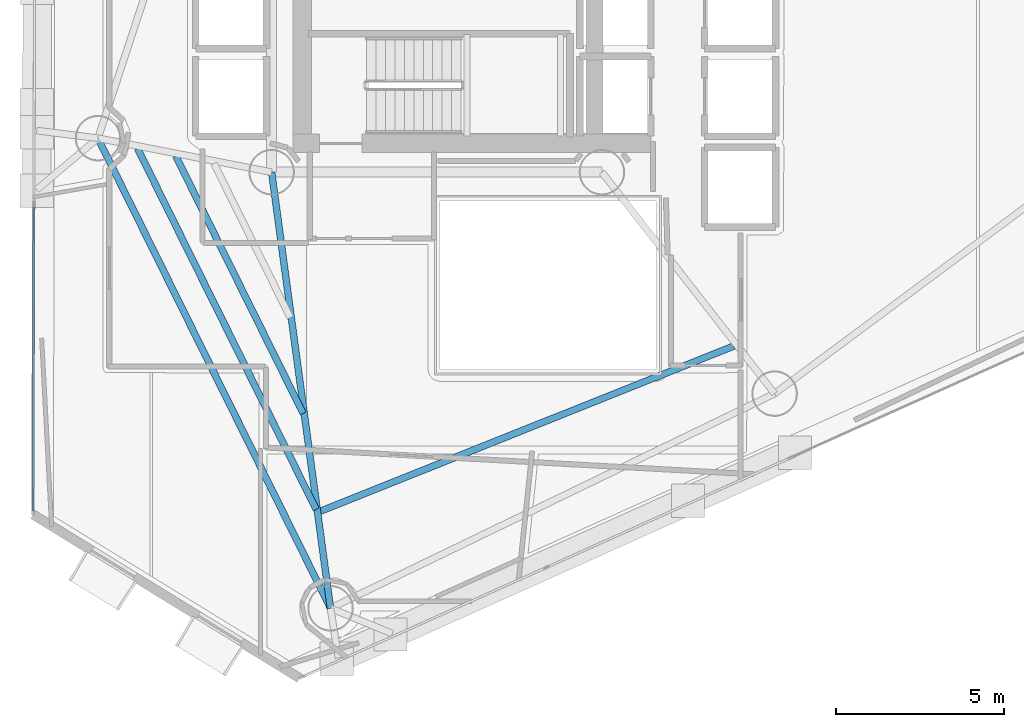
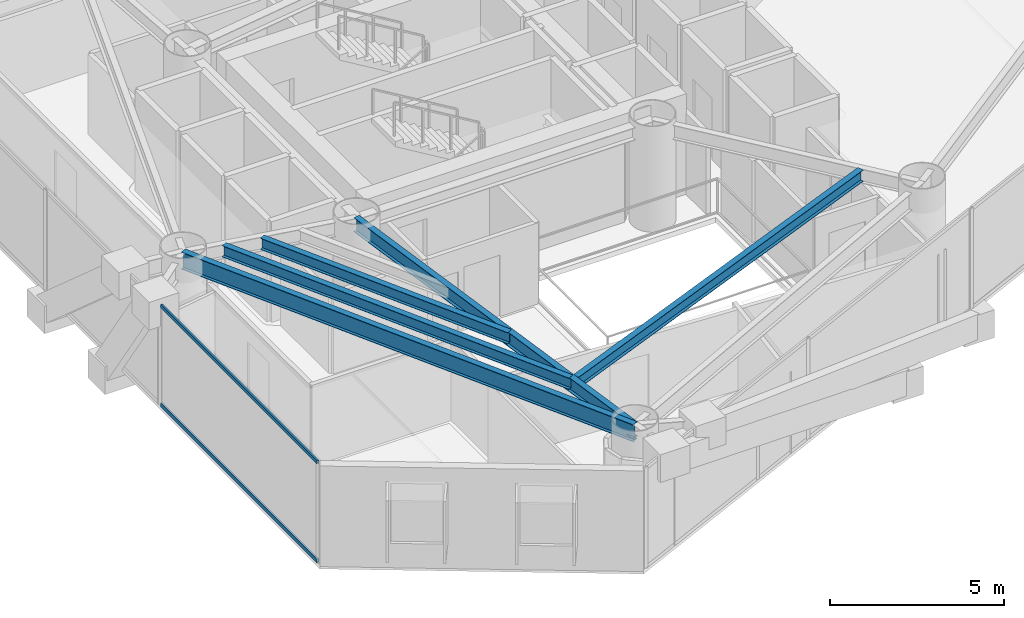
# One storey, part 4 of 23: 5 beams, 2 members, 1 element without a shape of its own.
"""IFC4 building model written with IfcOpenShell, lengths in metres."""

import ifcopenshell
import ifcopenshell.guid

model = None  # the IFC model being written
_history = None  # IfcOwnerHistory: only IFC2X3 demands one
_inside = {}  # id of a spatial element -> (the spatial element, [elements in it])
_under = {}  # id of a project, library or spatial element -> (it, [spatial elements below it])
_declared = {}  # id of a project -> (the project, [libraries it declares])
_typed = {}  # id of a type object -> (the type object, [elements of that type])
_made_of = {}  # id of a material, layer set ... -> (it, [elements and type objects made of it])


def new_model(schema):
    """Start an empty IFC model of exactly this schema.

    Asked for "IFC4X3", IfcOpenShell would pick the latest addendum, in which some entities
    have other attributes; the version numbers below select the first issue.
    IFC2X3 requires an IfcOwnerHistory on every rooted entity: one is made here for all.
    """
    global model, _history
    if schema == "IFC4X3":
        model = ifcopenshell.file(schema_version=(4, 3, 0, 0))
    else:
        model = ifcopenshell.file(schema=schema)
    _inside.clear()
    _under.clear()
    _declared.clear()
    _typed.clear()
    _made_of.clear()
    _history = None
    if model.schema == "IFC2X3":
        org = make("IfcOrganization", Name="unknown")
        user = make(
            "IfcPersonAndOrganization",
            ThePerson=make("IfcPerson", FamilyName="unknown"),
            TheOrganization=org,
        )
        app = make(
            "IfcApplication",
            ApplicationDeveloper=org,
            Version="unknown",
            ApplicationFullName="unknown",
            ApplicationIdentifier="unknown",
        )
        _history = make(
            "IfcOwnerHistory",
            OwningUser=user,
            OwningApplication=app,
            ChangeAction="ADDED",
            CreationDate=0,
        )
    return model


def make(cls, **values):
    """One entity of the class cls with the attributes given. An attribute that is None is left unset."""
    return model.create_entity(
        cls, **{name: value for name, value in values.items() if value is not None}
    )


def rooted(cls, **values):
    """An entity with a GlobalId (a new one), such as an element, a storey or a relation."""
    return make(cls, GlobalId=ifcopenshell.guid.new(), OwnerHistory=_history, **values)


def si_unit(unit_type, name, prefix=None):
    """IfcSIUnit, for example si_unit("LENGTHUNIT", "METRE", prefix="MILLI")."""
    return make("IfcSIUnit", UnitType=unit_type, Prefix=prefix, Name=name)


def assignment(units):
    """IfcUnitAssignment: the units of a project."""
    return None if units is None else make("IfcUnitAssignment", Units=units)


def point(xyz):
    """IfcCartesianPoint."""
    return None if xyz is None else make("IfcCartesianPoint", Coordinates=xyz)


def direction(xyz):
    """IfcDirection."""
    return None if xyz is None else make("IfcDirection", DirectionRatios=xyz)


def frame(location, z_axis=None, x_axis=None):
    """IfcAxis2Placement3D, a coordinate frame: its origin and axes. An axis left out is left unset."""
    return make(
        "IfcAxis2Placement3D",
        Location=point(location),
        Axis=direction(z_axis),
        RefDirection=direction(x_axis),
    )


def frame_2d(location, x_axis=None):
    """IfcAxis2Placement2D, a coordinate frame in the plane: its origin and x axis."""
    return make(
        "IfcAxis2Placement2D", Location=point(location), RefDirection=direction(x_axis)
    )


def origin():
    """The frame at (0, 0, 0) with its axes left unset."""
    return frame((0.0, 0.0, 0.0))


def origin_2d():
    """The frame at (0, 0) in the plane with its x axis left unset."""
    return frame_2d((0.0, 0.0))


def place(relative_to, where):
    """IfcLocalPlacement: puts the frame where relative to a parent placement (None: the world)."""
    return make(
        "IfcLocalPlacement", PlacementRelTo=relative_to, RelativePlacement=where
    )


def context(
    kind, dimensions, precision=None, world=None, true_north=None, identifier=None
):
    """IfcGeometricRepresentationContext, for example the 3D "Model" context."""
    return make(
        "IfcGeometricRepresentationContext",
        ContextIdentifier=identifier,
        ContextType=kind,
        CoordinateSpaceDimension=dimensions,
        Precision=precision,
        WorldCoordinateSystem=world,
        TrueNorth=true_north,
    )


def subcontext(parent, identifier, kind, view, scale=None):
    """IfcGeometricRepresentationSubContext, for example "Body" below "Model"."""
    return make(
        "IfcGeometricRepresentationSubContext",
        ContextIdentifier=identifier,
        ContextType=kind,
        ParentContext=parent,
        TargetScale=scale,
        TargetView=view,
    )


def project(units=None, contexts=None):
    """IfcProject with its units and contexts."""
    return rooted(
        "IfcProject",
        Name="project",
        RepresentationContexts=contexts,
        UnitsInContext=assignment(units),
    )


def spatial(cls, under=None, at=None, **own):
    """A site, building, storey or space (cls), placed at a placement, below another one or the project."""
    s = rooted(cls, ObjectPlacement=at, **own)
    if under is not None:
        _under.setdefault(under.id(), (under, []))[1].append(s)
    return s


def profile(cls, at=None, kind="AREA", **sizes):
    """A parametric profile (cls). Its sizes go by their IFC names, for example OverallWidth=200.0."""
    return make(cls, ProfileType=kind, Position=at, **sizes)


def hollow_rectangle(**sizes):
    """IfcRectangleHollowProfileDef."""
    return profile("IfcRectangleHollowProfileDef", **sizes)


def i_section(**sizes):
    """IfcIShapeProfileDef."""
    return profile("IfcIShapeProfileDef", **sizes)


def extrude(swept, where, along, depth):
    """IfcExtrudedAreaSolid: the profile swept, set in the frame where, extruded along a direction by depth."""
    return make(
        "IfcExtrudedAreaSolid",
        SweptArea=swept,
        Position=where,
        ExtrudedDirection=direction(along),
        Depth=depth,
    )


def shape(context_of_items, identifier, shape_type, items):
    """IfcShapeRepresentation: the items that make up one representation, for example the "Body"."""
    return make(
        "IfcShapeRepresentation",
        ContextOfItems=context_of_items,
        RepresentationIdentifier=identifier,
        RepresentationType=shape_type,
        Items=items,
    )


def material(Name=None, Category=None):
    """IfcMaterial."""
    return make("IfcMaterial", Name=Name, Category=Category)


def layer(
    of_material, thickness, ventilated=None, Name=None, Category=None, Priority=None
):
    """IfcMaterialLayer: one layer of a wall or slab, of a material (None: an air gap)."""
    return make(
        "IfcMaterialLayer",
        Material=of_material,
        LayerThickness=thickness,
        IsVentilated=ventilated,
        Name=Name,
        Category=Category,
        Priority=Priority,
    )


def layer_set(layers, Name=None):
    """IfcMaterialLayerSet."""
    return make("IfcMaterialLayerSet", MaterialLayers=layers, LayerSetName=Name)


def material_profile(
    of_material, cross_section, Name=None, Category=None, Priority=None
):
    """IfcMaterialProfile: a cross section and its material."""
    return make(
        "IfcMaterialProfile",
        Name=Name,
        Material=of_material,
        Profile=cross_section,
        Priority=Priority,
        Category=Category,
    )


def profile_set(profiles, Name=None, composite=None):
    """IfcMaterialProfileSet."""
    return make(
        "IfcMaterialProfileSet",
        Name=Name,
        MaterialProfiles=profiles,
        CompositeProfile=composite,
    )


def made_of(thing, what):
    """Note that an element or type object is made of a material, layer set ...; save() writes the relation."""
    if what is not None:
        _made_of.setdefault(what.id(), (what, []))[1].append(thing)
    return thing


def type_object(cls, material=None, **own):
    """A type object (cls), such as IfcWallType, which elements share."""
    return made_of(rooted(cls, **own), material)


def element(
    cls,
    number,
    at=None,
    inside=None,
    cuts=None,
    type_object=None,
    material=None,
    context=None,
    identifier="Body",
    shape_type=None,
    held_by="IfcProductDefinitionShape",
    body=None,
    shapes=None,
    **own,
):
    """One element of the class cls, such as IfcWall. Its Tag is "e" and its number.

    at: its placement. inside: the storey or other place that contains it. cuts: it is an
    opening in that element (IfcRelVoidsElement). A single representation is given by context,
    identifier, shape_type and body (its items); several are given by shapes. held_by: the class
    of the entity that holds the representations. save() writes the other relations.
    """
    e = rooted(cls, Tag="e%d" % number, ObjectPlacement=at, **own)
    if body is not None:
        shapes = [shape(context, identifier, shape_type, body)]
    if shapes is not None:
        e.Representation = make(held_by, Representations=shapes)
    if inside is not None:
        _inside.setdefault(inside.id(), (inside, []))[1].append(e)
    if cuts is not None:
        rooted(
            "IfcRelVoidsElement", RelatingBuildingElement=cuts, RelatedOpeningElement=e
        )
    if type_object is not None:
        _typed.setdefault(type_object.id(), (type_object, []))[1].append(e)
    return made_of(e, material)


def aggregate(whole, parts):
    """IfcRelAggregates: a whole, such as a stair, and the parts it consists of."""
    return rooted("IfcRelAggregates", RelatingObject=whole, RelatedObjects=parts)


def save(model, path):
    """Write the relations noted so far, then the file.

    IfcRelAggregates (storeys below a building ...), IfcRelContainedInSpatialStructure (elements
    in a storey), IfcRelDefinesByType, IfcRelAssociatesMaterial and IfcRelDeclares: one each for
    every whole, place, type object, material and project.
    """
    for whole, parts in _under.values():
        aggregate(whole, parts)
    for where, things in _inside.values():
        rooted(
            "IfcRelContainedInSpatialStructure",
            RelatedElements=things,
            RelatingStructure=where,
        )
    for kind, things in _typed.values():
        rooted("IfcRelDefinesByType", RelatedObjects=things, RelatingType=kind)
    for what, things in _made_of.values():
        rooted("IfcRelAssociatesMaterial", RelatedObjects=things, RelatingMaterial=what)
    for by, libraries in _declared.values():
        rooted("IfcRelDeclares", RelatingContext=by, RelatedDefinitions=libraries)
    model.write(path)


model = new_model("IFC4")

# Units and contexts
model_context = context("Model", 3, precision=1e-05, world=origin(), true_north=direction((0.0, 1.0)))
body_context = subcontext(model_context, "Body", "Model", "MODEL_VIEW")
ifc_project = project(units=[si_unit("LENGTHUNIT", "METRE"), si_unit("AREAUNIT", "SQUARE_METRE"), si_unit("VOLUMEUNIT", "CUBIC_METRE"), si_unit("PLANEANGLEUNIT", "RADIAN"), si_unit("MASSUNIT", "GRAM", prefix="KILO")], contexts=[model_context])

# Site, building, storey
site_placement = place(None, origin())
site = spatial("IfcSite", under=ifc_project, at=site_placement, CompositionType="ELEMENT")
building_placement = place(site_placement, origin())
building = spatial("IfcBuilding", under=site, at=building_placement, Name="Qianvela Tower", CompositionType="ELEMENT")
storey_placement = place(building_placement, frame((0.0, 0.0, 147.60009765625)))
storey = spatial("IfcBuildingStorey", under=building, at=storey_placement, Name="L37", CompositionType="ELEMENT", Elevation=147.60009765625)

# Beams
ifc_material_1 = material(Name="Steel Q355B", Category="steel")
ifc_material_profile_1 = material_profile(ifc_material_1, i_section(OverallWidth=0.199951171875, OverallDepth=0.39990234375, WebThickness=0.008056640625, FlangeThickness=0.012939453125, at=origin_2d()), Name="HN400x200x8x13")
ifc_profile_set_1 = profile_set([ifc_material_profile_1], Name="Steel Q355B")
beam_type_1 = type_object("IfcBeamType", Name="BM-HN400-JOIST", PredefinedType="JOIST", material=ifc_profile_set_1)
beam_1_placement = place(storey_placement, frame((25.75634765625, 24.3291015625, 3.31787109375), z_axis=(0.443417285282, -0.896315296708, 0.0), x_axis=(0.896315296708, 0.443417285282, 0.0)))
element("IfcBeam", 1, at=beam_1_placement, inside=storey, type_object=beam_type_1, Name="L37 Secondary Composite Floor Joist 4.2", PredefinedType="JOIST", context=body_context, shape_type="SweptSolid", body=[
    extrude(i_section(OverallWidth=0.199951171875, OverallDepth=0.39990234375, WebThickness=0.008056640625, FlangeThickness=0.012939453125, at=origin_2d()), origin(), (0.0, 0.0, 1.0), 8.523681640625),
])
beam_2_placement = place(storey_placement, frame((24.622314453125, 24.551025390625, 3.31787109375), z_axis=(0.443417031377, -0.896315422318, 0.0), x_axis=(0.896315422318, 0.443417031377, 0.0)))
element("IfcBeam", 2, at=beam_2_placement, inside=storey, type_object=beam_type_1, Name="L37 Secondary Composite Floor Joist 4.3", PredefinedType="JOIST", context=body_context, shape_type="SweptSolid", body=[
    extrude(i_section(OverallWidth=0.199951171875, OverallDepth=0.39990234375, WebThickness=0.008056640625, FlangeThickness=0.012939453125, at=origin_2d()), origin(), (0.0, 0.0, 1.0), 11.94775390625),
])
beam_3_placement = place(storey_placement, frame((30.0517578125, 13.79150390625, 3.31787109375), z_axis=(0.928611849806, 0.371052600584, 0.0), x_axis=(-0.371052600584, 0.928611849806, 0.0)))
element("IfcBeam", 3, at=beam_3_placement, inside=storey, type_object=beam_type_1, Name="L37 Secondary Composite Floor Joist 5.3", PredefinedType="JOIST", context=body_context, shape_type="SweptSolid", body=[
    extrude(i_section(OverallWidth=0.199951171875, OverallDepth=0.39990234375, WebThickness=0.008056640625, FlangeThickness=0.012939453125, at=origin_2d()), origin(), (0.0, 0.0, 1.0), 13.19873046875),
])
ifc_material_2 = material(Name="Steel Q355B", Category="steel")
ifc_material_profile_2 = material_profile(ifc_material_2, i_section(OverallWidth=0.199951171875, OverallDepth=0.5, WebThickness=0.010009765625, FlangeThickness=0.01611328125, at=origin_2d()), Name="HN500x200x10x16")
ifc_profile_set_2 = profile_set([ifc_material_profile_2], Name="Steel Q355B")
beam_type_2 = type_object("IfcBeamType", Name="BM-HN500-GIRD", PredefinedType="BEAM", material=ifc_profile_set_2)
beam_4_placement = place(storey_placement, frame((28.60009765625, 23.85009765625, 3.267822265625), z_axis=(0.133769024854, -0.991012536747, 0.0), x_axis=(0.991012536747, 0.133769024854, 0.0)))
element("IfcBeam", 4, at=beam_4_placement, inside=storey, type_object=beam_type_2, Name="L37 Radial Primary Floor Girder 5", PredefinedType="BEAM", context=body_context, shape_type="SweptSolid", body=[
    extrude(i_section(OverallWidth=0.199951171875, OverallDepth=0.5, WebThickness=0.010009765625, FlangeThickness=0.01611328125, at=origin_2d()), origin(), (0.0, 0.0, 1.0), 13.05859375),
])
ifc_material_3 = material(Name="Steel Q355B", Category="steel")
ifc_material_profile_3 = material_profile(ifc_material_3, i_section(OverallWidth=0.199951171875, OverallDepth=0.60009765625, WebThickness=0.010986328125, FlangeThickness=0.01708984375, at=origin_2d()), Name="HN600x200x11x17")
ifc_profile_set_3 = profile_set([ifc_material_profile_3], Name="Steel Q355B")
beam_type_3 = type_object("IfcBeamType", Name="BM-HN600-GIRD", PredefinedType="BEAM", material=ifc_profile_set_3)
beam_5_placement = place(storey_placement, frame((23.446044921875, 24.85888671875, 3.218017578125), z_axis=(0.443400805375, -0.896323449315, 0.0), x_axis=(0.896323449315, 0.443400805375, 0.0)))
element("IfcBeam", 5, at=beam_5_placement, inside=storey, type_object=beam_type_3, Name="L37 Perimeter Ring Spandrel Girder 4", PredefinedType="BEAM", context=body_context, shape_type="SweptSolid", body=[
    extrude(i_section(OverallWidth=0.199951171875, OverallDepth=0.60009765625, WebThickness=0.010986328125, FlangeThickness=0.01708984375, at=origin_2d()), origin(), (0.0, 0.0, 1.0), 15.5634765625),
])

# Curtain wall, members
ifc_material_4 = material(Name="Anodised Architectural Aluminium and Low-E Glass", Category="aluminium")
ifc_layer = layer(ifc_material_4, 0.169921875)
ifc_layer_set = layer_set([ifc_layer], Name="Anodised Architectural Aluminium and Low-E Glass")
curtain_wall_type = type_object("IfcCurtainWallType", Name="CW-COLIV-Z34", PredefinedType="USERDEFINED", material=ifc_layer_set)
curtain_wall_placement = place(storey_placement, origin())
curtain_wall = element("IfcCurtainWall", 6, at=curtain_wall_placement, inside=storey, type_object=curtain_wall_type, Name="L37 CW-COLIV-Z34 Curtain Wall 04C", ObjectType="CURTAIN_WALL_SYSTEM", PredefinedType="USERDEFINED")
ifc_material_5 = material(Name="Anodised Architectural Aluminium 6063-T6", Category="aluminium")
ifc_material_profile_4 = material_profile(ifc_material_5, hollow_rectangle(XDim=0.06494140625, YDim=0.1298828125, WallThickness=0.00439453125, at=origin_2d()), Name="ALU-TRAN-65x130")
ifc_profile_set_4 = profile_set([ifc_material_profile_4], Name="Anodised Architectural Aluminium 6063-T6")
member_type = type_object("IfcMemberType", Name="CW-COLIV-Z34-TRAN", PredefinedType="USERDEFINED", material=ifc_profile_set_4)
member_1_placement = place(storey_placement, frame((21.546142578125, 22.807373046875, 0.032470703125), z_axis=(-0.002792300769, -0.999996101521, 0.0), x_axis=(0.999996101521, -0.002792300769, 0.0)))
member_1 = element("IfcMember", 7, at=member_1_placement, type_object=member_type, Name="CW-4 transom 1.1", ObjectType="TRANSOM", PredefinedType="USERDEFINED", context=body_context, shape_type="SweptSolid", body=[
    extrude(hollow_rectangle(XDim=0.06494140625, YDim=0.1298828125, WallThickness=0.00439453125, at=origin_2d()), origin(), (0.0, 0.0, 1.0), 9.005615234375),
])
member_2_placement = place(storey_placement, frame((21.546142578125, 22.807373046875, 3.4873046875), z_axis=(-0.002792300769, -0.999996101521, 0.0), x_axis=(0.999996101521, -0.002792300769, 0.0)))
member_2 = element("IfcMember", 8, at=member_2_placement, type_object=member_type, Name="CW-4 transom 1.2", ObjectType="TRANSOM", PredefinedType="USERDEFINED", context=body_context, shape_type="SweptSolid", body=[
    extrude(hollow_rectangle(XDim=0.06494140625, YDim=0.1298828125, WallThickness=0.00439453125, at=origin_2d()), origin(), (0.0, 0.0, 1.0), 9.005615234375),
])
aggregate(curtain_wall, [member_1, member_2])

save(model, "model.ifc")
